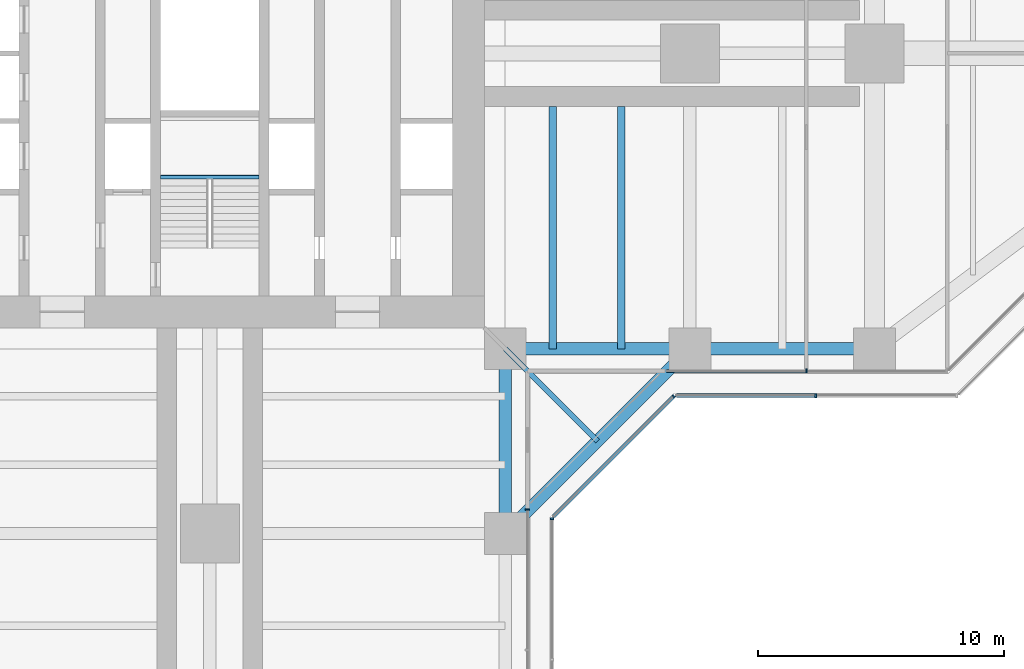
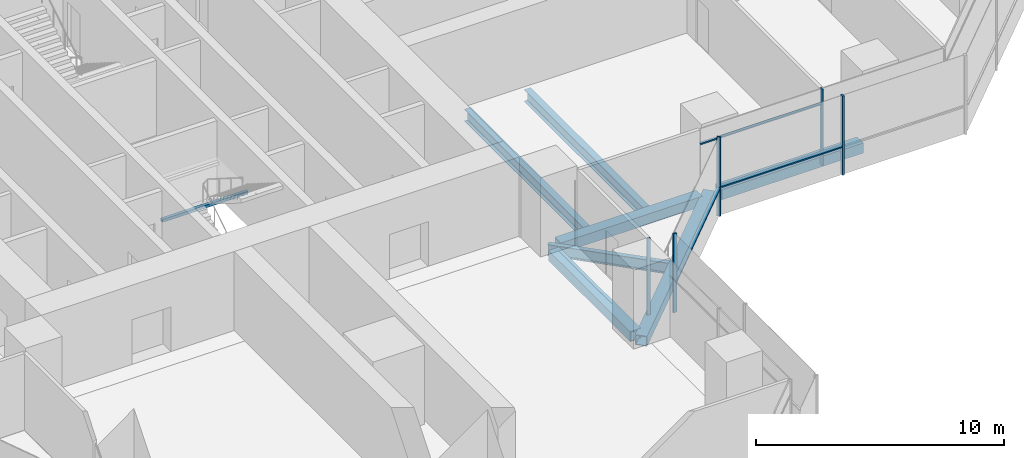
# One storey, part 6 of 22: 8 beams, 8 members, 5 elements without a shape of their own.
"""IFC4 building model written with IfcOpenShell, lengths in metres."""

from ifc_helpers import new_model, si_unit, direction, frame, origin, origin_2d, place, context, subcontext, project, spatial, rectangle, hollow_rectangle, i_section, extrude, material, material_profile, profile_set, type_object, element, aggregate, save


model = new_model("IFC4")

# Units and contexts
model_context = context("Model", 3, precision=1e-05, world=origin(), true_north=direction((0.0, 1.0)))
body_context = subcontext(model_context, "Body", "Model", "MODEL_VIEW")
ifc_project = project(units=[si_unit("LENGTHUNIT", "METRE"), si_unit("AREAUNIT", "SQUARE_METRE"), si_unit("VOLUMEUNIT", "CUBIC_METRE"), si_unit("PLANEANGLEUNIT", "RADIAN"), si_unit("MASSUNIT", "GRAM", prefix="KILO")], contexts=[model_context])

# Site, building, storey
site_placement = place(None, origin())
site = spatial("IfcSite", under=ifc_project, at=site_placement, CompositionType="ELEMENT")
building_placement = place(site_placement, origin())
building = spatial("IfcBuilding", under=site, at=building_placement, Name="Mizan Broadcast Tower", CompositionType="ELEMENT")
storey_placement = place(building_placement, frame((0.0, 0.0, 74.699951171875)))
storey = spatial("IfcBuildingStorey", under=building, at=storey_placement, Name="L15", CompositionType="ELEMENT", Elevation=74.699951171875)

# Beams
ifc_material_1 = material(Name="Steel S355", Category="steel")
ifc_material_profile_1 = material_profile(ifc_material_1, hollow_rectangle(XDim=0.5, YDim=0.5, WallThickness=0.030029296875, at=origin_2d()), Name="BOX 500x500x30")
ifc_profile_set_1 = profile_set([ifc_material_profile_1], Name="Steel S355")
beam_type_1 = type_object("IfcBeamType", Name="EDGE BEAM BOX 500x500x30", PredefinedType="SPANDREL", material=ifc_profile_set_1)
for number, where, z_axis, x_axis, name in (
    (1, (12.449951171875, -12.0, -0.3798828125), (1.0, 0.0, 0.0), (0.0, 1.0, 0.0), "Edge beam BOX 500x500x30 L15 east arm"),
    (2, (19.949951171875, -12.0, -0.3798828125), (1.0, 0.0, 0.0), (0.0, 1.0, 0.0), "Edge beam BOX 500x500x30 L15 east arm"),
    (3, (12.0, -12.449951171875, -0.3798828125), (0.0, -1.0, 0.0), (1.0, 0.0, 0.0), "Edge beam BOX 500x500x30 L15 south arm"),
):
    element("IfcBeam", number, at=place(storey_placement, frame(where, z_axis=z_axis, x_axis=x_axis)), inside=storey, type_object=beam_type_1, Name=name, PredefinedType="SPANDREL", context=body_context, shape_type="SweptSolid", body=[
        extrude(hollow_rectangle(XDim=0.5, YDim=0.5, WallThickness=0.030029296875, at=origin_2d()), origin(), (0.0, 0.0, 1.0), 6.60009765625),
    ])
beam_1_placement = place(storey_placement, frame((12.0, -19.5, -0.3798828125), z_axis=(0.707106781187, 0.707106781187, 0.0), x_axis=(-0.707106781187, 0.707106781187, 0.0)))
element("IfcBeam", 4, at=beam_1_placement, inside=storey, type_object=beam_type_1, Name="Winter garden edge beam L15 S", PredefinedType="SPANDREL", context=body_context, shape_type="SweptSolid", body=[
    extrude(hollow_rectangle(XDim=0.5, YDim=0.5, WallThickness=0.030029296875, at=origin_2d()), origin(), (0.0, 0.0, 1.0), 10.606689453125),
])

# Curtain wall, member
ifc_material_2 = material(Name="Aluminium framed glazing", Category="aluminium")
curtain_wall_type_1 = type_object("IfcCurtainWallType", Name="INNER SKIN LOW ZONE", PredefinedType="USERDEFINED", material=ifc_material_2)
curtain_wall_1_placement = place(storey_placement, origin())
curtain_wall_1 = element("IfcCurtainWall", 5, at=curtain_wall_1_placement, inside=storey, type_object=curtain_wall_type_1, Name="Inner skin low zone L15 E side", ObjectType="INNER SKIN LOW ZONE", PredefinedType="USERDEFINED")
ifc_material_3 = material(Name="Aluminium, pale anodised", Category="aluminium")
ifc_material_profile_2 = material_profile(ifc_material_3, rectangle(XDim=0.159912109375, YDim=0.06005859375, at=origin_2d()), Name="MULLION 160x60")
ifc_profile_set_2 = profile_set([ifc_material_profile_2], Name="Aluminium, pale anodised")
member_type_1 = type_object("IfcMemberType", Name="INNER SKIN MULLION 60x160", PredefinedType="MULLION", material=ifc_profile_set_2)
member_1_placement = place(storey_placement, frame((24.229248046875, -12.89990234375, 0.0), z_axis=(0.0, 0.0, 1.0), x_axis=(0.0, 1.0, 0.0)))
member_1 = element("IfcMember", 6, at=member_1_placement, type_object=member_type_1, Name="Inner skin low zone L15 E side mullion 2", PredefinedType="MULLION", context=body_context, shape_type="SweptSolid", body=[
    extrude(rectangle(XDim=0.159912109375, YDim=0.06005859375, at=origin_2d()), origin(), (0.0, 0.0, 1.0), 3.77001953125),
])

curtain_wall_2_placement = place(storey_placement, origin())
curtain_wall_2 = element("IfcCurtainWall", 7, at=curtain_wall_2_placement, inside=storey, type_object=curtain_wall_type_1, Name="Inner skin low zone L15 S side", ObjectType="INNER SKIN LOW ZONE", PredefinedType="USERDEFINED")
member_2_placement = place(storey_placement, frame((12.89990234375, -18.530029296875, 0.0), z_axis=(0.0, 0.0, 1.0), x_axis=(-1.0, 0.0, 0.0)))
member_2 = element("IfcMember", 8, at=member_2_placement, type_object=member_type_1, Name="Inner skin low zone L15 S side mullion 3", PredefinedType="MULLION", context=body_context, shape_type="SweptSolid", body=[
    extrude(rectangle(XDim=0.159912109375, YDim=0.06005859375, at=origin_2d()), origin(), (0.0, 0.0, 1.0), 3.77001953125),
])
aggregate(curtain_wall_2, [member_2])

# Member
ifc_material_4 = material(Name="Aluminium, pale anodised", Category="aluminium")
ifc_material_profile_3 = material_profile(ifc_material_4, rectangle(XDim=0.1201171875, YDim=0.06005859375, at=origin_2d()), Name="TRANSOM 120x60")
ifc_profile_set_3 = profile_set([ifc_material_profile_3], Name="Aluminium, pale anodised")
member_type_2 = type_object("IfcMemberType", Name="INNER SKIN TRANSOM 60x120", PredefinedType="USERDEFINED", material=ifc_profile_set_3)
member_3_placement = place(storey_placement, frame((18.56005859375, -12.89990234375, 3.030029296875), z_axis=(1.0, 0.0, 0.0), x_axis=(0.0, 1.0, 0.0)))
member_3 = element("IfcMember", 9, at=member_3_placement, type_object=member_type_2, Name="Inner skin low zone L15 E side transom 1.1", ObjectType="TRANSOM", PredefinedType="USERDEFINED", context=body_context, shape_type="SweptSolid", body=[
    extrude(rectangle(XDim=0.1201171875, YDim=0.06005859375, at=origin_2d()), origin(), (0.0, 0.0, 1.0), 5.63916015625),
])

aggregate(curtain_wall_1, [member_1, member_3])

# Beam
ifc_material_5 = material(Name="Steel S355", Category="steel")
ifc_material_profile_4 = material_profile(ifc_material_5, hollow_rectangle(XDim=0.14990234375, YDim=0.14990234375, WallThickness=0.008056640625, InnerFilletRadius=0.008056640625, OuterFilletRadius=0.011962890625, at=origin_2d()), Name="SHS 150x150x8")
ifc_profile_set_4 = profile_set([ifc_material_profile_4], Name="Steel S355")
beam_type_2 = type_object("IfcBeamType", Name="LANDING TRIMMER SHS 150x150x8", PredefinedType="BEAM", material=ifc_profile_set_4)
beam_2_placement = place(storey_placement, frame((-2.0, -5.02490234375, 1.675048828125), z_axis=(1.0, 0.0, 0.0), x_axis=(0.0, 1.0, 0.0)))
element("IfcBeam", 10, at=beam_2_placement, inside=storey, type_object=beam_type_2, Name="Stair A landing trimmer L15", PredefinedType="BEAM", context=body_context, shape_type="SweptSolid", body=[
    extrude(hollow_rectangle(XDim=0.14990234375, YDim=0.14990234375, WallThickness=0.008056640625, InnerFilletRadius=0.008056640625, OuterFilletRadius=0.011962890625, at=origin_2d()), origin(), (0.0, 0.0, 1.0), 4.0),
])

# Curtain wall, member
ifc_material_6 = material(Name="Aluminium framed glazing", Category="aluminium")
curtain_wall_type_2 = type_object("IfcCurtainWallType", Name="OUTER SKIN", PredefinedType="USERDEFINED", material=ifc_material_6)
curtain_wall_3_placement = place(storey_placement, origin())
curtain_wall_3 = element("IfcCurtainWall", 11, at=curtain_wall_3_placement, inside=storey, type_object=curtain_wall_type_2, Name="Outer skin L15 S side", ObjectType="OUTER SKIN", PredefinedType="USERDEFINED")
ifc_material_7 = material(Name="Aluminium, pale anodised", Category="aluminium")
ifc_material_profile_5 = material_profile(ifc_material_7, rectangle(XDim=0.159912109375, YDim=0.080078125, at=origin_2d()), Name="MULLION 160x80")
ifc_profile_set_5 = profile_set([ifc_material_profile_5], Name="Aluminium, pale anodised")
member_type_3 = type_object("IfcMemberType", Name="OUTER SKIN MULLION 80x160", PredefinedType="MULLION", material=ifc_profile_set_5)
member_4_placement = place(storey_placement, frame((13.89990234375, -18.912841796875, 0.0), z_axis=(0.0, 0.0, 1.0), x_axis=(-1.0, 0.0, 0.0)))
member_4 = element("IfcMember", 12, at=member_4_placement, type_object=member_type_3, Name="Outer skin L15 S side mullion 3", PredefinedType="MULLION", context=body_context, shape_type="SweptSolid", body=[
    extrude(rectangle(XDim=0.159912109375, YDim=0.080078125, at=origin_2d()), origin(), (0.0, 0.0, 1.0), 3.900146484375),
])
aggregate(curtain_wall_3, [member_4])

curtain_wall_4_placement = place(storey_placement, origin())
curtain_wall_4 = element("IfcCurtainWall", 13, at=curtain_wall_4_placement, inside=storey, type_object=curtain_wall_type_2, Name="Outer skin L15 E chamfer", ObjectType="OUTER SKIN", PredefinedType="USERDEFINED")
member_5_placement = place(storey_placement, frame((18.844482421875, -13.92822265625, 0.0), z_axis=(0.0, 0.0, 1.0), x_axis=(-0.707106781187, 0.707106781187, 0.0)))
member_5 = element("IfcMember", 14, at=member_5_placement, type_object=member_type_3, Name="Outer skin L15 E chamfer mullion 2", PredefinedType="MULLION", context=body_context, shape_type="SweptSolid", body=[
    extrude(rectangle(XDim=0.159912109375, YDim=0.080078125, at=origin_2d()), origin(), (0.0, 0.0, 1.0), 3.900146484375),
])

curtain_wall_5_placement = place(storey_placement, origin())
curtain_wall_5 = element("IfcCurtainWall", 15, at=curtain_wall_5_placement, inside=storey, type_object=curtain_wall_type_2, Name="Outer skin L15 E side", ObjectType="OUTER SKIN", PredefinedType="USERDEFINED")
member_6_placement = place(storey_placement, frame((24.622802734375, -13.89990234375, 0.0), z_axis=(0.0, 0.0, 1.0), x_axis=(0.0, 1.0, 0.0)))
member_6 = element("IfcMember", 16, at=member_6_placement, type_object=member_type_3, Name="Outer skin L15 E side mullion 2", PredefinedType="MULLION", context=body_context, shape_type="SweptSolid", body=[
    extrude(rectangle(XDim=0.159912109375, YDim=0.080078125, at=origin_2d()), origin(), (0.0, 0.0, 1.0), 3.900146484375),
])

# Member
ifc_material_8 = material(Name="Aluminium, pale anodised", Category="aluminium")
ifc_material_profile_6 = material_profile(ifc_material_8, rectangle(XDim=0.159912109375, YDim=0.06005859375, at=origin_2d()), Name="TRANSOM 160x60")
ifc_profile_set_6 = profile_set([ifc_material_profile_6], Name="Aluminium, pale anodised")
member_type_4 = type_object("IfcMemberType", Name="OUTER SKIN TRANSOM 60x160", PredefinedType="USERDEFINED", material=ifc_profile_set_6)
member_7_placement = place(storey_placement, frame((13.95654296875, -18.816162109375, 1.400146484375), z_axis=(0.707106781187, 0.707106781187, 0.0), x_axis=(-0.707106781187, 0.707106781187, 0.0)))
member_7 = element("IfcMember", 17, at=member_7_placement, type_object=member_type_4, Name="Outer skin L15 E chamfer transom 1.1", ObjectType="TRANSOM", PredefinedType="USERDEFINED", context=body_context, shape_type="SweptSolid", body=[
    extrude(rectangle(XDim=0.159912109375, YDim=0.06005859375, at=origin_2d()), origin(), (0.0, 0.0, 1.0), 6.87255859375),
])

aggregate(curtain_wall_4, [member_5, member_7])

member_8_placement = place(storey_placement, frame((18.952880859375, -13.89990234375, 1.400146484375), z_axis=(1.0, 0.0, 0.0), x_axis=(0.0, 1.0, 0.0)))
member_8 = element("IfcMember", 18, at=member_8_placement, type_object=member_type_4, Name="Outer skin L15 E side transom 1.1", ObjectType="TRANSOM", PredefinedType="USERDEFINED", context=body_context, shape_type="SweptSolid", body=[
    extrude(rectangle(XDim=0.159912109375, YDim=0.06005859375, at=origin_2d()), origin(), (0.0, 0.0, 1.0), 5.6298828125),
])

aggregate(curtain_wall_5, [member_6, member_8])

# Beams
ifc_material_9 = material(Name="Steel S355", Category="steel")
ifc_material_profile_7 = material_profile(ifc_material_9, i_section(OverallWidth=0.300048828125, OverallDepth=0.590087890625, WebThickness=0.012939453125, FlangeThickness=0.02490234375, FilletRadius=0.027099609375, at=origin_2d()), Name="HEA 600")
ifc_profile_set_7 = profile_set([ifc_material_profile_7], Name="Steel S355")
beam_type_3 = type_object("IfcBeamType", Name="SECONDARY BEAM HEA 600", PredefinedType="JOIST", material=ifc_profile_set_7)
for number, where, z_axis, x_axis, name in (
    (19, (13.933349609375, -12.0, -0.425048828125), (0.0, 1.0, 0.0), (-1.0, 0.0, 0.0), "Secondary beam HEA 600 L15 east arm"),
    (20, (16.716552734375, -12.0, -0.425048828125), (0.0, 1.0, 0.0), (-1.0, 0.0, 0.0), "Secondary beam HEA 600 L15 east arm"),
):
    element("IfcBeam", number, at=place(storey_placement, frame(where, z_axis=z_axis, x_axis=x_axis)), inside=storey, type_object=beam_type_3, Name=name, PredefinedType="JOIST", context=body_context, shape_type="SweptSolid", body=[
        extrude(i_section(OverallWidth=0.300048828125, OverallDepth=0.590087890625, WebThickness=0.012939453125, FlangeThickness=0.02490234375, FilletRadius=0.027099609375, at=origin_2d()), origin(), (0.0, 0.0, 1.0), 9.85009765625),
    ])
ifc_material_10 = material(Name="Steel S355", Category="steel")
ifc_material_profile_8 = material_profile(ifc_material_10, i_section(OverallWidth=0.2099609375, OverallDepth=0.550048828125, WebThickness=0.010986328125, FlangeThickness=0.01708984375, FilletRadius=0.02392578125, at=origin_2d()), Name="IPE 550")
ifc_profile_set_8 = profile_set([ifc_material_profile_8], Name="Steel S355")
beam_type_4 = type_object("IfcBeamType", Name="SECONDARY BEAM IPE 550", PredefinedType="JOIST", material=ifc_profile_set_8)
beam_3_placement = place(storey_placement, frame((12.0, -12.0, -0.405029296875), z_axis=(0.707106781187, -0.707106781187, 0.0), x_axis=(0.707106781187, 0.707106781187, 0.0)))
element("IfcBeam", 21, at=beam_3_placement, inside=storey, type_object=beam_type_4, Name="Winter garden beam L15 S", PredefinedType="JOIST", context=body_context, shape_type="SweptSolid", body=[
    extrude(i_section(OverallWidth=0.2099609375, OverallDepth=0.550048828125, WebThickness=0.010986328125, FlangeThickness=0.01708984375, FilletRadius=0.02392578125, at=origin_2d()), origin(), (0.0, 0.0, 1.0), 5.30322265625),
])

save(model, "model.ifc")
